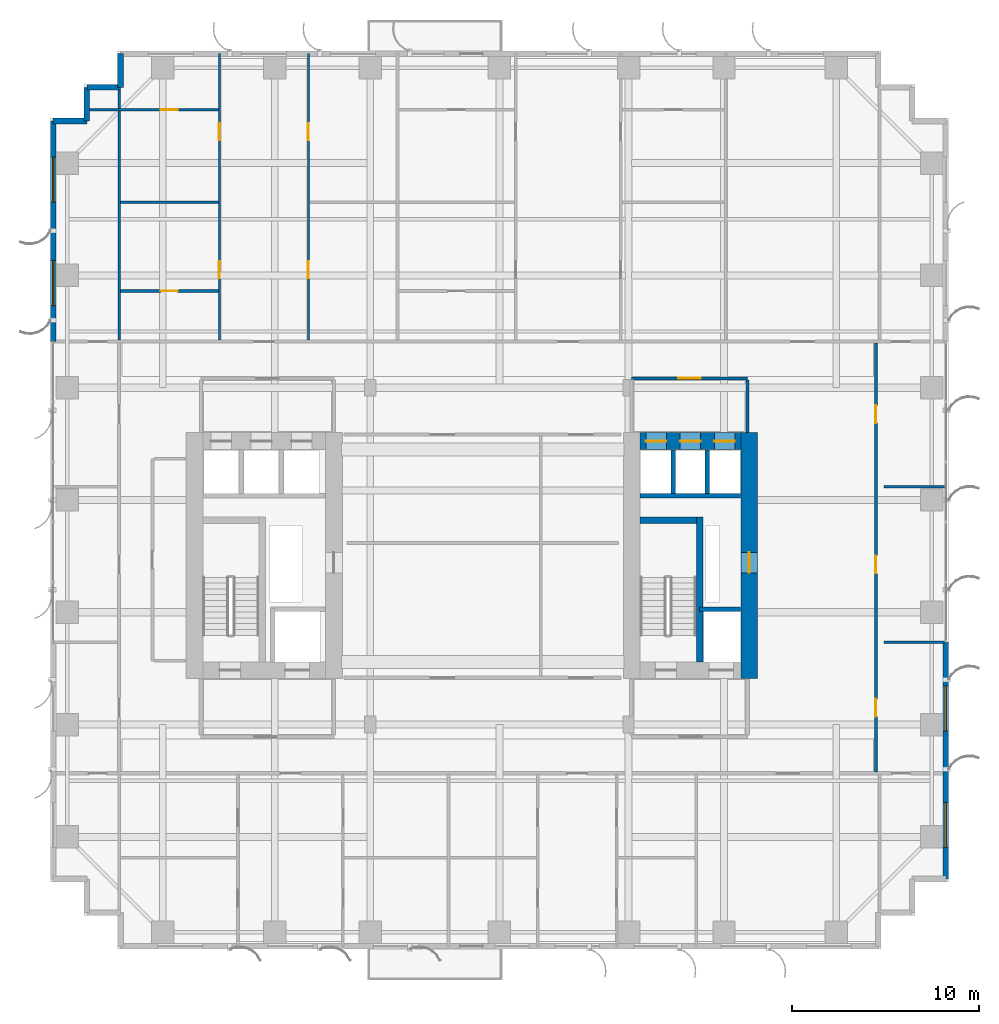
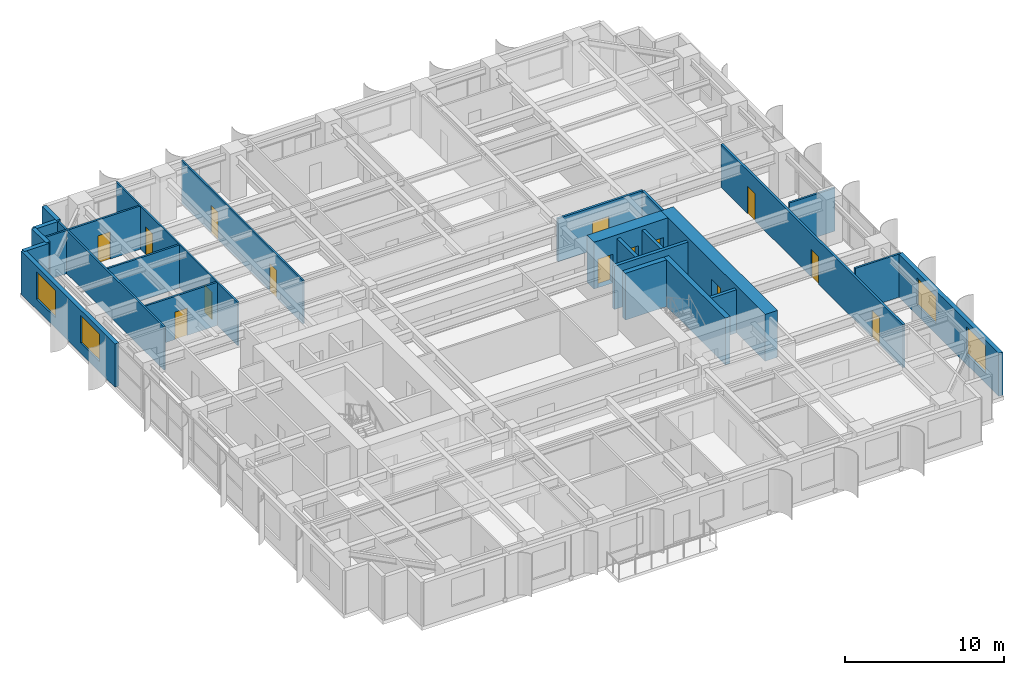
# One storey, part 12 of 18: 25 walls, 14 doors, 4 windows, 18 openings.
"""IFC4 building model written with IfcOpenShell, lengths in metres."""

from ifc_helpers import new_model, si_unit, direction, frame, frame_2d, origin, place, context, subcontext, project, spatial, rectangle, extrude, source, transform, mapped, material, layer, layer_set, type_object, element, fill, save


model = new_model("IFC4")

# Units and contexts
model_context = context("Model", 3, precision=1e-05, world=origin(), true_north=direction((0.0, 1.0)))
body_context = subcontext(model_context, "Body", "Model", "MODEL_VIEW")
ifc_project = project(units=[si_unit("LENGTHUNIT", "METRE"), si_unit("AREAUNIT", "SQUARE_METRE"), si_unit("VOLUMEUNIT", "CUBIC_METRE"), si_unit("PLANEANGLEUNIT", "RADIAN"), si_unit("MASSUNIT", "GRAM", prefix="KILO")], contexts=[model_context])

# Site, building, storey
site_placement = place(None, origin())
site = spatial("IfcSite", under=ifc_project, at=site_placement, CompositionType="ELEMENT")
building_placement = place(site_placement, origin())
building = spatial("IfcBuilding", under=site, at=building_placement, Name="Khoralis Quay Care Tower", CompositionType="ELEMENT")
storey_placement = place(building_placement, frame((0.0, 0.0, 47.699951171875)))
storey = spatial("IfcBuildingStorey", under=building, at=storey_placement, Name="L12", CompositionType="ELEMENT", Elevation=47.699951171875)

# Wall, opening, door
ifc_material_1 = material(Name="Concrete C80/95", Category="concrete")
ifc_layer_1 = layer(ifc_material_1, 0.89990234375)
ifc_layer_set_1 = layer_set([ifc_layer_1], Name="Concrete C80/95")
wall_type_1 = type_object("IfcWallType", Name="WL-CORE-900", PredefinedType="SHEAR", material=ifc_layer_set_1)
wall_1_placement = place(storey_placement, frame((37.35009765625, 14.449951171875, 0.0), z_axis=(0.0, 0.0, 1.0), x_axis=(0.0, 1.0, 0.0)))
wall_1 = element("IfcWall", 1, at=wall_1_placement, inside=storey, type_object=wall_type_1, Name="L12 ECORE East Shear Wall", PredefinedType="SHEAR", context=body_context, shape_type="SweptSolid", body=[
    extrude(rectangle(XDim=13.150146484375, YDim=0.89990234375, at=frame_2d((6.5751953125, 0.0))), origin(), (0.0, 0.0, 1.0), 3.60009765625),
])
opening_1_placement = place(wall_1_placement, frame((5.64990234375, 0.0, 0.0)))
opening_1 = element("IfcOpeningElement", 2, at=opening_1_placement, cuts=wall_1, Name="Opening SD1", PredefinedType="OPENING", context=body_context, shape_type="SweptSolid", body=[
    extrude(rectangle(XDim=1.10009765625, YDim=2.199951171875, at=frame_2d((0.550048828125, 1.10009765625))), frame((0.0, 0.4599609375, 0.0), z_axis=(0.0, -1.0, 0.0), x_axis=(1.0, 0.0, 0.0)), (0.0, 0.0, 1.0), 0.919921875),
])
ifc_material_2 = material(Name="Fire-rated painted steel", Category="steel")
door_type_1 = type_object("IfcDoorType", Name="DR-STAIR-1100X2200", OperationType="NOTDEFINED", PredefinedType="DOOR", material=ifc_material_2)
shared_shape_1 = source(origin(), body_context, "Body", "SweptSolid", [
    extrude(rectangle(XDim=1.10009765625, YDim=2.199951171875, at=frame_2d((0.550048828125, 1.10009765625))), frame((0.0, 0.02490234375, 0.0), z_axis=(0.0, -1.0, 0.0), x_axis=(1.0, 0.0, 0.0)), (0.0, 0.0, 1.0), 0.050048828125),
])
door_1_placement = place(opening_1_placement, frame((1.10009765625, 0.0, 0.0), z_axis=(0.0, 0.0, 1.0), x_axis=(-1.0, 0.0, 0.0)))
door_1 = element("IfcDoor", 3, at=door_1_placement, inside=storey, type_object=door_type_1, Name="L12 East MEP Riser Door", OperationType="SINGLE_SWING_LEFT", OverallHeight=2.199951171875, OverallWidth=1.10009765625, PredefinedType="DOOR", context=body_context, shape_type="MappedRepresentation", body=[
    mapped(shared_shape_1, transform((0.0, 0.0, 0.0), scale=1.0)),
])
fill(opening_1, door_1)

# Wall, openings, doors
wall_2_placement = place(storey_placement, frame((31.52001953125, 27.14990234375, 0.0), z_axis=(0.0, 0.0, 1.0), x_axis=(1.0, 0.0, 0.0)))
wall_2 = element("IfcWall", 4, at=wall_2_placement, inside=storey, type_object=wall_type_1, Name="L12 ECORE North Shear Wall", PredefinedType="SHEAR", context=body_context, shape_type="SweptSolid", body=[
    extrude(rectangle(XDim=5.3798828125, YDim=0.89990234375, at=frame_2d((2.68994140625, 0.0))), origin(), (0.0, 0.0, 1.0), 3.60009765625),
])
opening_2_placement = place(wall_2_placement, frame((0.300048828125, 0.0, 0.0)))
opening_2 = element("IfcOpeningElement", 5, at=opening_2_placement, cuts=wall_2, Name="Opening LD1", PredefinedType="OPENING", context=body_context, shape_type="SweptSolid", body=[
    extrude(rectangle(XDim=1.10009765625, YDim=2.199951171875, at=frame_2d((0.550048828125, 1.10009765625))), frame((0.0, 0.4599609375, 0.0), z_axis=(0.0, -1.0, 0.0), x_axis=(1.0, 0.0, 0.0)), (0.0, 0.0, 1.0), 0.919921875),
])
opening_3_placement = place(wall_2_placement, frame((2.1298828125, 0.0, 0.0)))
opening_3 = element("IfcOpeningElement", 6, at=opening_3_placement, cuts=wall_2, Name="Opening LD1", PredefinedType="OPENING", context=body_context, shape_type="SweptSolid", body=[
    extrude(rectangle(XDim=1.10009765625, YDim=2.199951171875, at=frame_2d((0.550048828125, 1.10009765625))), frame((0.0, 0.4599609375, 0.0), z_axis=(0.0, -1.0, 0.0), x_axis=(1.0, 0.0, 0.0)), (0.0, 0.0, 1.0), 0.919921875),
])
opening_4_placement = place(wall_2_placement, frame((3.9599609375, 0.0, 0.0)))
opening_4 = element("IfcOpeningElement", 7, at=opening_4_placement, cuts=wall_2, Name="Opening LD1", PredefinedType="OPENING", context=body_context, shape_type="SweptSolid", body=[
    extrude(rectangle(XDim=1.10009765625, YDim=2.199951171875, at=frame_2d((0.550048828125, 1.10009765625))), frame((0.0, 0.4599609375, 0.0), z_axis=(0.0, -1.0, 0.0), x_axis=(1.0, 0.0, 0.0)), (0.0, 0.0, 1.0), 0.919921875),
])
ifc_material_3 = material(Name="Brushed stainless steel", Category="steel")
door_type_2 = type_object("IfcDoorType", Name="DR-LIFT-1100X2200", OperationType="SLIDING_TO_LEFT", PredefinedType="DOOR", material=ifc_material_3)
shared_shape_2 = source(origin(), body_context, "Body", "SweptSolid", [
    extrude(rectangle(XDim=1.10009765625, YDim=2.199951171875, at=frame_2d((0.550048828125, 1.10009765625))), frame((0.0, 0.02490234375, 0.0), z_axis=(0.0, -1.0, 0.0), x_axis=(1.0, 0.0, 0.0)), (0.0, 0.0, 1.0), 0.050048828125),
])
door_2_placement = place(opening_2_placement, origin())
door_2 = element("IfcDoor", 8, at=door_2_placement, inside=storey, type_object=door_type_2, Name="L12 Lift PLL2 Landing Door", OperationType="SLIDING_TO_LEFT", OverallHeight=2.199951171875, OverallWidth=1.10009765625, PredefinedType="DOOR", context=body_context, shape_type="MappedRepresentation", body=[
    mapped(shared_shape_2, transform((0.0, 0.0, 0.0), scale=1.0)),
])
fill(opening_2, door_2)
door_3_placement = place(opening_3_placement, origin())
door_3 = element("IfcDoor", 9, at=door_3_placement, inside=storey, type_object=door_type_2, Name="L12 Lift PLM2 Landing Door", OperationType="SLIDING_TO_LEFT", OverallHeight=2.199951171875, OverallWidth=1.10009765625, PredefinedType="DOOR", context=body_context, shape_type="MappedRepresentation", body=[
    mapped(shared_shape_2, transform((0.0, 0.0, 0.0), scale=1.0)),
])
fill(opening_3, door_3)
door_4_placement = place(opening_4_placement, origin())
door_4 = element("IfcDoor", 10, at=door_4_placement, inside=storey, type_object=door_type_2, Name="L12 Lift PLH2 Landing Door", OperationType="SLIDING_TO_LEFT", OverallHeight=2.199951171875, OverallWidth=1.10009765625, PredefinedType="DOOR", context=body_context, shape_type="MappedRepresentation", body=[
    mapped(shared_shape_2, transform((0.0, 0.0, 0.0), scale=1.0)),
])
fill(opening_4, door_4)

# Wall, opening, door
ifc_material_4 = material(Name="Gypsum plasterboard on acoustic metal stud")
ifc_layer_2 = layer(ifc_material_4, 0.1650390625)
ifc_layer_set_2 = layer_set([ifc_layer_2], Name="Gypsum plasterboard on acoustic metal stud")
wall_type_2 = type_object("IfcWallType", Name="WL-CORR-165", PredefinedType="PARTITIONING", material=ifc_layer_set_2)
wall_3_placement = place(storey_placement, frame((31.050048828125, 30.5, 0.0), z_axis=(0.0, 0.0, 1.0), x_axis=(1.0, 0.0, 0.0)))
wall_3 = element("IfcWall", 11, at=wall_3_placement, inside=storey, type_object=wall_type_2, Name="L12 East Lift Lobby North Wall", PredefinedType="PARTITIONING", context=body_context, shape_type="SweptSolid", body=[
    extrude(rectangle(XDim=6.199951171875, YDim=0.1650390625, at=frame_2d((3.10009765625, 0.0))), origin(), (0.0, 0.0, 1.0), 3.320068359375),
])
opening_5_placement = place(wall_3_placement, frame((2.5, 0.0, 0.0)))
opening_5 = element("IfcOpeningElement", 12, at=opening_5_placement, cuts=wall_3, Name="Opening FD1", PredefinedType="OPENING", context=body_context, shape_type="SweptSolid", body=[
    extrude(rectangle(XDim=1.199951171875, YDim=2.199951171875, at=frame_2d((0.60009765625, 1.10009765625))), frame((0.0, 0.092529296875, 0.0), z_axis=(0.0, -1.0, 0.0), x_axis=(1.0, 0.0, 0.0)), (0.0, 0.0, 1.0), 0.18505859375),
])
door_type_3 = type_object("IfcDoorType", Name="DR-FFL-1200X2200", OperationType="NOTDEFINED", PredefinedType="DOOR", material=ifc_material_2)
shared_shape_3 = source(origin(), body_context, "Body", "SweptSolid", [
    extrude(rectangle(XDim=1.199951171875, YDim=2.199951171875, at=frame_2d((0.60009765625, 1.10009765625))), frame((0.0, 0.02490234375, 0.0), z_axis=(0.0, -1.0, 0.0), x_axis=(1.0, 0.0, 0.0)), (0.0, 0.0, 1.0), 0.050048828125),
])
door_5_placement = place(opening_5_placement, origin())
door_5 = element("IfcDoor", 13, at=door_5_placement, inside=storey, type_object=door_type_3, Name="L12 East Lift Lobby Double Door", OperationType="DOUBLE_DOOR_SINGLE_SWING", OverallHeight=2.199951171875, OverallWidth=1.199951171875, PredefinedType="DOOR", context=body_context, shape_type="MappedRepresentation", body=[
    mapped(shared_shape_3, transform((0.0, 0.0, 0.0), scale=1.0)),
])
fill(opening_5, door_5)

# Wall
wall_4_placement = place(storey_placement, frame((37.25, 27.6201171875, 0.0), z_axis=(0.0, 0.0, 1.0), x_axis=(0.0, 1.0, 0.0)))
element("IfcWall", 14, at=wall_4_placement, inside=storey, type_object=wall_type_2, Name="L12 East Lift Lobby East Wall", PredefinedType="PARTITIONING", context=body_context, shape_type="SweptSolid", body=[
    extrude(rectangle(XDim=2.802490234375, YDim=0.1650390625, at=frame_2d((1.4013671875, 0.0))), origin(), (0.0, 0.0, 1.0), 3.320068359375),
])

# Wall, openings, doors
wall_5_placement = place(storey_placement, frame((44.1201171875, 9.4775390625, 0.0), z_axis=(0.0, 0.0, 1.0), x_axis=(0.0, 1.0, 0.0)))
wall_5 = element("IfcWall", 15, at=wall_5_placement, inside=storey, type_object=wall_type_2, Name="L12 East Loop Corridor Wall", PredefinedType="PARTITIONING", context=body_context, shape_type="SweptSolid", body=[
    extrude(rectangle(XDim=22.905029296875, YDim=0.1650390625, at=frame_2d((11.45263671875, 0.0))), origin(), (0.0, 0.0, 1.0), 3.320068359375),
])
opening_6_placement = place(wall_5_placement, frame((2.947509765625, 0.0, 0.0)))
opening_6 = element("IfcOpeningElement", 16, at=opening_6_placement, cuts=wall_5, Name="Opening ID1", PredefinedType="OPENING", context=body_context, shape_type="SweptSolid", body=[
    extrude(rectangle(XDim=0.949951171875, YDim=2.10009765625, at=frame_2d((0.47509765625, 1.050048828125))), frame((0.0, 0.092529296875, 0.0), z_axis=(0.0, -1.0, 0.0), x_axis=(1.0, 0.0, 0.0)), (0.0, 0.0, 1.0), 0.18505859375),
])
opening_7_placement = place(wall_5_placement, frame((10.597412109375, 0.0, 0.0)))
opening_7 = element("IfcOpeningElement", 17, at=opening_7_placement, cuts=wall_5, Name="Opening ID1", PredefinedType="OPENING", context=body_context, shape_type="SweptSolid", body=[
    extrude(rectangle(XDim=0.949951171875, YDim=2.10009765625, at=frame_2d((0.47509765625, 1.050048828125))), frame((0.0, 0.092529296875, 0.0), z_axis=(0.0, -1.0, 0.0), x_axis=(1.0, 0.0, 0.0)), (0.0, 0.0, 1.0), 0.18505859375),
])
opening_8_placement = place(wall_5_placement, frame((18.62744140625, 0.0, 0.0)))
opening_8 = element("IfcOpeningElement", 18, at=opening_8_placement, cuts=wall_5, Name="Opening ID1", PredefinedType="OPENING", context=body_context, shape_type="SweptSolid", body=[
    extrude(rectangle(XDim=0.949951171875, YDim=2.10009765625, at=frame_2d((0.47509765625, 1.050048828125))), frame((0.0, 0.092529296875, 0.0), z_axis=(0.0, -1.0, 0.0), x_axis=(1.0, 0.0, 0.0)), (0.0, 0.0, 1.0), 0.18505859375),
])
ifc_material_5 = material(Name="Acoustic hardwood timber", Category="wood")
door_type_4 = type_object("IfcDoorType", Name="DR-ROOM-950X2100", OperationType="NOTDEFINED", PredefinedType="DOOR", material=ifc_material_5)
shared_shape_4 = source(origin(), body_context, "Body", "SweptSolid", [
    extrude(rectangle(XDim=0.949951171875, YDim=2.10009765625, at=frame_2d((0.47509765625, 1.050048828125))), frame((0.0, 0.02490234375, 0.0), z_axis=(0.0, -1.0, 0.0), x_axis=(1.0, 0.0, 0.0)), (0.0, 0.0, 1.0), 0.050048828125),
])
door_6_placement = place(opening_6_placement, frame((0.949951171875, 0.0, 0.0), z_axis=(0.0, 0.0, 1.0), x_axis=(-1.0, 0.0, 0.0)))
door_6 = element("IfcDoor", 19, at=door_6_placement, inside=storey, type_object=door_type_4, Name="L12 Therapy Consultation Room Door", OperationType="SINGLE_SWING_LEFT", OverallHeight=2.10009765625, OverallWidth=0.949951171875, PredefinedType="DOOR", context=body_context, shape_type="MappedRepresentation", body=[
    mapped(shared_shape_4, transform((0.0, 0.0, 0.0), scale=1.0)),
])
fill(opening_6, door_6)
door_7_placement = place(opening_7_placement, frame((0.949951171875, 0.0, 0.0), z_axis=(0.0, 0.0, 1.0), x_axis=(-1.0, 0.0, 0.0)))
door_7 = element("IfcDoor", 20, at=door_7_placement, inside=storey, type_object=door_type_4, Name="L12 Assisted Activity Lounge Door", OperationType="SINGLE_SWING_RIGHT", OverallHeight=2.10009765625, OverallWidth=0.949951171875, PredefinedType="DOOR", context=body_context, shape_type="MappedRepresentation", body=[
    mapped(shared_shape_4, transform((0.0, 0.0, 0.0), scale=1.0)),
])
fill(opening_7, door_7)
door_8_placement = place(opening_8_placement, frame((0.949951171875, 0.0, 0.0), z_axis=(0.0, 0.0, 1.0), x_axis=(-1.0, 0.0, 0.0)))
door_8 = element("IfcDoor", 21, at=door_8_placement, inside=storey, type_object=door_type_4, Name="L12 Nurse Charting Office Door", OperationType="SINGLE_SWING_LEFT", OverallHeight=2.10009765625, OverallWidth=0.949951171875, PredefinedType="DOOR", context=body_context, shape_type="MappedRepresentation", body=[
    mapped(shared_shape_4, transform((0.0, 0.0, 0.0), scale=1.0)),
])
fill(opening_8, door_8)

# Wall, openings, windows
ifc_material_6 = material(Name="Precast concrete C45/55", Category="concrete")
ifc_layer_3 = layer(ifc_material_6, 0.300048828125)
ifc_layer_set_3 = layer_set([ifc_layer_3], Name="Precast concrete C45/55")
wall_type_3 = type_object("IfcWallType", Name="WL-EXT-REF-300", PredefinedType="SOLIDWALL", material=ifc_layer_set_3)
wall_6_placement = place(storey_placement, frame((47.85009765625, 3.75, 0.0), z_axis=(0.0, 0.0, 1.0), x_axis=(0.0, 1.0, 0.0)))
wall_6 = element("IfcWall", 22, at=wall_6_placement, inside=storey, type_object=wall_type_3, Name="L12 External Facade Wall WL-EXT-L12-P1-E5A", PredefinedType="SOLIDWALL", context=body_context, shape_type="SweptSolid", body=[
    extrude(rectangle(XDim=12.64990234375, YDim=0.300048828125, at=frame_2d((6.324951171875, 0.0))), origin(), (0.0, 0.0, 1.0), 3.320068359375),
])
opening_9_placement = place(wall_6_placement, frame((1.675048828125, 0.0, 0.800048828125)))
opening_9 = element("IfcOpeningElement", 23, at=opening_9_placement, cuts=wall_6, Name="Opening W1", PredefinedType="OPENING", context=body_context, shape_type="SweptSolid", body=[
    extrude(rectangle(XDim=2.39990234375, YDim=2.10009765625, at=frame_2d((1.199951171875, 1.050048828125))), frame((0.0, 0.16015625, 0.0), z_axis=(0.0, -1.0, 0.0), x_axis=(1.0, 0.0, 0.0)), (0.0, 0.0, 1.0), 0.320068359375),
])
opening_10_placement = place(wall_6_placement, frame((7.89990234375, 0.0, 0.800048828125)))
opening_10 = element("IfcOpeningElement", 24, at=opening_10_placement, cuts=wall_6, Name="Opening W1", PredefinedType="OPENING", context=body_context, shape_type="SweptSolid", body=[
    extrude(rectangle(XDim=2.39990234375, YDim=2.10009765625, at=frame_2d((1.199951171875, 1.050048828125))), frame((0.0, 0.16015625, 0.0), z_axis=(0.0, -1.0, 0.0), x_axis=(1.0, 0.0, 0.0)), (0.0, 0.0, 1.0), 0.320068359375),
])
ifc_material_7 = material(Name="Low-E solar-control double glazing", Category="glass")
window_type = type_object("IfcWindowType", Name="WN-POD-2400X2100", PartitioningType="SINGLE_PANEL", PredefinedType="WINDOW", material=ifc_material_7)
shared_shape_5 = source(origin(), body_context, "Body", "SweptSolid", [
    extrude(rectangle(XDim=2.39990234375, YDim=2.10009765625, at=frame_2d((1.199951171875, 1.050048828125))), frame((0.0, 0.030029296875, 0.0), z_axis=(0.0, -1.0, 0.0), x_axis=(1.0, 0.0, 0.0)), (0.0, 0.0, 1.0), 0.06005859375),
])
window_1_placement = place(opening_9_placement, origin())
window_1 = element("IfcWindow", 25, at=window_1_placement, inside=storey, type_object=window_type, Name="WN-L12-P1-E5A Facade Window 01", OverallHeight=2.10009765625, OverallWidth=2.39990234375, PartitioningType="SINGLE_PANEL", PredefinedType="WINDOW", context=body_context, shape_type="MappedRepresentation", body=[
    mapped(shared_shape_5, transform((0.0, 0.0, 0.0), scale=1.0)),
])
fill(opening_9, window_1)
window_2_placement = place(opening_10_placement, origin())
window_2 = element("IfcWindow", 26, at=window_2_placement, inside=storey, type_object=window_type, Name="WN-L12-P1-E5A Facade Window 02", OverallHeight=2.10009765625, OverallWidth=2.39990234375, PartitioningType="SINGLE_PANEL", PredefinedType="WINDOW", context=body_context, shape_type="MappedRepresentation", body=[
    mapped(shared_shape_5, transform((0.0, 0.0, 0.0), scale=1.0)),
])
fill(opening_10, window_2)

# Walls
for number, where, z_axis, x_axis, name in (
    (27, (3.75, 47.85009765625, 0.0), (0.0, 0.0, 1.0), (0.0, -1.0, 0.0), "L12 External Facade Wall WL-EXT-L12-P1-C11"),
    (28, (3.75, 46.050048828125, 0.0), (0.0, 0.0, 1.0), (-1.0, 0.0, 0.0), "L12 External Facade Wall WL-EXT-L12-P1-C12"),
    (29, (1.949951171875, 46.050048828125, 0.0), (0.0, 0.0, 1.0), (0.0, -1.0, 0.0), "L12 External Facade Wall WL-EXT-L12-P1-C13"),
    (30, (1.949951171875, 44.25, 0.0), (0.0, 0.0, 1.0), (-1.0, 0.0, 0.0), "L12 External Facade Wall WL-EXT-L12-P1-C14"),
):
    element("IfcWall", number, at=place(storey_placement, frame(where, z_axis=z_axis, x_axis=x_axis)), inside=storey, type_object=wall_type_3, Name=name, PredefinedType="SOLIDWALL", context=body_context, shape_type="SweptSolid", body=[
        extrude(rectangle(XDim=1.800048828125, YDim=0.300048828125, at=frame_2d((0.89990234375, 0.0))), origin(), (0.0, 0.0, 1.0), 3.320068359375),
    ])

# Wall, openings, windows
wall_7_placement = place(storey_placement, frame((0.14990234375, 44.25, 0.0), z_axis=(0.0, 0.0, 1.0), x_axis=(0.0, -1.0, 0.0)))
wall_7 = element("IfcWall", 31, at=wall_7_placement, inside=storey, type_object=wall_type_3, Name="L12 External Facade Wall WL-EXT-L12-P1-E15A", PredefinedType="SOLIDWALL", context=body_context, shape_type="SweptSolid", body=[
    extrude(rectangle(XDim=11.7900390625, YDim=0.300048828125, at=frame_2d((5.89501953125, 0.0))), origin(), (0.0, 0.0, 1.0), 3.320068359375),
])
opening_11_placement = place(wall_7_placement, frame((1.927490234375, 0.0, 0.800048828125)))
opening_11 = element("IfcOpeningElement", 32, at=opening_11_placement, cuts=wall_7, Name="Opening W1", PredefinedType="OPENING", context=body_context, shape_type="SweptSolid", body=[
    extrude(rectangle(XDim=2.39990234375, YDim=2.10009765625, at=frame_2d((1.199951171875, 1.050048828125))), frame((0.0, 0.16015625, 0.0), z_axis=(0.0, -1.0, 0.0), x_axis=(1.0, 0.0, 0.0)), (0.0, 0.0, 1.0), 0.320068359375),
])
opening_12_placement = place(wall_7_placement, frame((7.46240234375, 0.0, 0.800048828125)))
opening_12 = element("IfcOpeningElement", 33, at=opening_12_placement, cuts=wall_7, Name="Opening W1", PredefinedType="OPENING", context=body_context, shape_type="SweptSolid", body=[
    extrude(rectangle(XDim=2.39990234375, YDim=2.10009765625, at=frame_2d((1.199951171875, 1.050048828125))), frame((0.0, 0.16015625, 0.0), z_axis=(0.0, -1.0, 0.0), x_axis=(1.0, 0.0, 0.0)), (0.0, 0.0, 1.0), 0.320068359375),
])
window_3_placement = place(opening_11_placement, origin())
window_3 = element("IfcWindow", 34, at=window_3_placement, inside=storey, type_object=window_type, Name="WN-L12-P1-E15A Facade Window 01", OverallHeight=2.10009765625, OverallWidth=2.39990234375, PartitioningType="SINGLE_PANEL", PredefinedType="WINDOW", context=body_context, shape_type="MappedRepresentation", body=[
    mapped(shared_shape_5, transform((0.0, 0.0, 0.0), scale=1.0)),
])
fill(opening_11, window_3)
window_4_placement = place(opening_12_placement, origin())
window_4 = element("IfcWindow", 35, at=window_4_placement, inside=storey, type_object=window_type, Name="WN-L12-P1-E15A Facade Window 02", OverallHeight=2.10009765625, OverallWidth=2.39990234375, PartitioningType="SINGLE_PANEL", PredefinedType="WINDOW", context=body_context, shape_type="MappedRepresentation", body=[
    mapped(shared_shape_5, transform((0.0, 0.0, 0.0), scale=1.0)),
])
fill(opening_12, window_4)

# Wall, openings, doors
ifc_layer_4 = layer(ifc_material_4, 0.114990234375)
ifc_layer_set_4 = layer_set([ifc_layer_4], Name="Gypsum plasterboard on acoustic metal stud")
wall_type_4 = type_object("IfcWallType", Name="WL-PART-115", PredefinedType="PARTITIONING", material=ifc_layer_set_4)
wall_8_placement = place(storey_placement, frame((9.032958984375, 32.53759765625, 0.0), z_axis=(0.0, 0.0, 1.0), x_axis=(0.0, 1.0, 0.0)))
wall_8 = element("IfcWall", 36, at=wall_8_placement, inside=storey, type_object=wall_type_4, Name="L12 2BR 0 Left Wall", PredefinedType="PARTITIONING", context=body_context, shape_type="SweptSolid", body=[
    extrude(rectangle(XDim=15.3173828125, YDim=0.114990234375, at=frame_2d((7.65869140625, 0.0))), origin(), (0.0, 0.0, 1.0), 3.320068359375),
])
opening_13_placement = place(wall_8_placement, frame((10.697021484375, 0.0, 0.0)))
opening_13 = element("IfcOpeningElement", 37, at=opening_13_placement, cuts=wall_8, Name="Opening WD1", PredefinedType="OPENING", context=body_context, shape_type="SweptSolid", body=[
    extrude(rectangle(XDim=0.89990234375, YDim=2.10009765625, at=frame_2d((0.449951171875, 1.050048828125))), frame((0.0, 0.0673828125, 0.0), z_axis=(0.0, -1.0, 0.0), x_axis=(1.0, 0.0, 0.0)), (0.0, 0.0, 1.0), 0.135009765625),
])
opening_14_placement = place(wall_8_placement, frame((3.31689453125, 0.0, 0.0)))
opening_14 = element("IfcOpeningElement", 38, at=opening_14_placement, cuts=wall_8, Name="Opening WD1", PredefinedType="OPENING", context=body_context, shape_type="SweptSolid", body=[
    extrude(rectangle(XDim=0.89990234375, YDim=2.10009765625, at=frame_2d((0.449951171875, 1.050048828125))), frame((0.0, 0.0673828125, 0.0), z_axis=(0.0, -1.0, 0.0), x_axis=(1.0, 0.0, 0.0)), (0.0, 0.0, 1.0), 0.135009765625),
])
door_type_5 = type_object("IfcDoorType", Name="DR-BATH-900X2100", OperationType="NOTDEFINED", PredefinedType="DOOR", material=ifc_material_5)
shared_shape_6 = source(origin(), body_context, "Body", "SweptSolid", [
    extrude(rectangle(XDim=0.89990234375, YDim=2.10009765625, at=frame_2d((0.449951171875, 1.050048828125))), frame((0.0, 0.02490234375, 0.0), z_axis=(0.0, -1.0, 0.0), x_axis=(1.0, 0.0, 0.0)), (0.0, 0.0, 1.0), 0.050048828125),
])
door_9_placement = place(opening_13_placement, origin())
door_9 = element("IfcDoor", 39, at=door_9_placement, inside=storey, type_object=door_type_5, Name="L12 2BR BD1 Door", OperationType="SINGLE_SWING_LEFT", OverallHeight=2.10009765625, OverallWidth=0.89990234375, PredefinedType="DOOR", context=body_context, shape_type="MappedRepresentation", body=[
    mapped(shared_shape_6, transform((0.0, 0.0, 0.0), scale=1.0)),
])
fill(opening_13, door_9)
door_10_placement = place(opening_14_placement, origin())
door_10 = element("IfcDoor", 40, at=door_10_placement, inside=storey, type_object=door_type_5, Name="L12 2BR BTH Door", OperationType="SINGLE_SWING_RIGHT", OverallHeight=2.10009765625, OverallWidth=0.89990234375, PredefinedType="DOOR", context=body_context, shape_type="MappedRepresentation", body=[
    mapped(shared_shape_6, transform((0.0, 0.0, 0.0), scale=1.0)),
])
fill(opening_14, door_10)

wall_9_placement = place(storey_placement, frame((13.7919921875, 32.53759765625, 0.0), z_axis=(0.0, 0.0, 1.0), x_axis=(0.0, 1.0, 0.0)))
wall_9 = element("IfcWall", 41, at=wall_9_placement, inside=storey, type_object=wall_type_4, Name="L12 2BR 0 Right Wall", PredefinedType="PARTITIONING", context=body_context, shape_type="SweptSolid", body=[
    extrude(rectangle(XDim=15.3173828125, YDim=0.114990234375, at=frame_2d((7.65869140625, 0.0))), origin(), (0.0, 0.0, 1.0), 3.320068359375),
])
opening_15_placement = place(wall_9_placement, frame((10.697021484375, 0.0, 0.0)))
opening_15 = element("IfcOpeningElement", 42, at=opening_15_placement, cuts=wall_9, Name="Opening WD1", PredefinedType="OPENING", context=body_context, shape_type="SweptSolid", body=[
    extrude(rectangle(XDim=0.89990234375, YDim=2.10009765625, at=frame_2d((0.449951171875, 1.050048828125))), frame((0.0, 0.0673828125, 0.0), z_axis=(0.0, -1.0, 0.0), x_axis=(1.0, 0.0, 0.0)), (0.0, 0.0, 1.0), 0.135009765625),
])
opening_16_placement = place(wall_9_placement, frame((3.31689453125, 0.0, 0.0)))
opening_16 = element("IfcOpeningElement", 43, at=opening_16_placement, cuts=wall_9, Name="Opening WD1", PredefinedType="OPENING", context=body_context, shape_type="SweptSolid", body=[
    extrude(rectangle(XDim=0.89990234375, YDim=2.10009765625, at=frame_2d((0.449951171875, 1.050048828125))), frame((0.0, 0.0673828125, 0.0), z_axis=(0.0, -1.0, 0.0), x_axis=(1.0, 0.0, 0.0)), (0.0, 0.0, 1.0), 0.135009765625),
])
door_11_placement = place(opening_15_placement, frame((0.89990234375, 0.0, 0.0), z_axis=(0.0, 0.0, 1.0), x_axis=(-1.0, 0.0, 0.0)))
door_11 = element("IfcDoor", 44, at=door_11_placement, inside=storey, type_object=door_type_5, Name="L12 2BR BD2 Door", OperationType="SINGLE_SWING_LEFT", OverallHeight=2.10009765625, OverallWidth=0.89990234375, PredefinedType="DOOR", context=body_context, shape_type="MappedRepresentation", body=[
    mapped(shared_shape_6, transform((0.0, 0.0, 0.0), scale=1.0)),
])
fill(opening_15, door_11)
door_12_placement = place(opening_16_placement, frame((0.89990234375, 0.0, 0.0), z_axis=(0.0, 0.0, 1.0), x_axis=(-1.0, 0.0, 0.0)))
door_12 = element("IfcDoor", 45, at=door_12_placement, inside=storey, type_object=door_type_5, Name="L12 2BR KIT Door", OperationType="SINGLE_SWING_RIGHT", OverallHeight=2.10009765625, OverallWidth=0.89990234375, PredefinedType="DOOR", context=body_context, shape_type="MappedRepresentation", body=[
    mapped(shared_shape_6, transform((0.0, 0.0, 0.0), scale=1.0)),
])
fill(opening_16, door_12)

# Walls
ifc_material_8 = material(Name="Moisture-resistant gypsum and ceramic tile")
ifc_layer_5 = layer(ifc_material_8, 0.280029296875)
ifc_layer_set_5 = layer_set([ifc_layer_5], Name="Moisture-resistant gypsum and ceramic tile")
wall_type_5 = type_object("IfcWallType", Name="WL-PLUMB-280", PredefinedType="PLUMBINGWALL", material=ifc_layer_set_5)
wall_10_placement = place(storey_placement, frame((3.7451171875, 39.9189453125, 0.0), z_axis=(0.0, 0.0, 1.0), x_axis=(1.0, 0.0, 0.0)))
element("IfcWall", 46, at=wall_10_placement, inside=storey, type_object=wall_type_5, Name="L12 2BR 0 Left Split", PredefinedType="PLUMBINGWALL", context=body_context, shape_type="SweptSolid", body=[
    extrude(rectangle(XDim=5.2353515625, YDim=0.139892578125, at=frame_2d((2.61767578125, 0.0))), origin(), (0.0, 0.0, 1.0), 3.320068359375),
])
ifc_material_9 = material(Name="Concrete C40/50", Category="concrete")
ifc_layer_6 = layer(ifc_material_9, 0.35009765625)
ifc_layer_set_6 = layer_set([ifc_layer_6], Name="Concrete C40/50")
wall_type_6 = type_object("IfcWallType", Name="WL-SC-CORE-350", PredefinedType="SHEAR", material=ifc_layer_set_6)
wall_11_placement = place(storey_placement, frame((34.695068359375, 15.35009765625, 0.0), z_axis=(0.0, 0.0, 1.0), x_axis=(0.0, 1.0, 0.0)))
element("IfcWall", 47, at=wall_11_placement, inside=storey, type_object=wall_type_6, Name="L12 Stair ST-T2 Shear Baffle Wall East", PredefinedType="SHEAR", context=body_context, shape_type="SweptSolid", body=[
    extrude(rectangle(XDim=7.75, YDim=0.35009765625, at=frame_2d((3.875, 0.0))), origin(), (0.0, 0.0, 1.0), 3.60009765625),
])
wall_12_placement = place(storey_placement, frame((31.52001953125, 22.925048828125, 0.0), z_axis=(0.0, 0.0, 1.0), x_axis=(1.0, 0.0, 0.0)))
element("IfcWall", 48, at=wall_12_placement, inside=storey, type_object=wall_type_6, Name="L12 Stair ST-T2 Shear Baffle Wall North", PredefinedType="SHEAR", context=body_context, shape_type="SweptSolid", body=[
    extrude(rectangle(XDim=3.0, YDim=0.35009765625, at=frame_2d((1.5, 0.0))), origin(), (0.0, 0.0, 1.0), 3.60009765625),
])
ifc_layer_7 = layer(ifc_material_4, 0.239990234375)
ifc_layer_set_7 = layer_set([ifc_layer_7], Name="Gypsum plasterboard on acoustic metal stud")
wall_type_7 = type_object("IfcWallType", Name="WL-SHAFT-240", PredefinedType="PARTITIONING", material=ifc_layer_set_7)
wall_13_placement = place(storey_placement, frame((34.679931640625, 18.169921875, 0.0), z_axis=(0.0, 0.0, 1.0), x_axis=(1.0, 0.0, 0.0)))
element("IfcWall", 49, at=wall_13_placement, inside=storey, type_object=wall_type_7, Name="L12 FFL-2 Shaft Wall North", PredefinedType="PARTITIONING", context=body_context, shape_type="SweptSolid", body=[
    extrude(rectangle(XDim=2.199951171875, YDim=0.239990234375, at=frame_2d((1.10009765625, 0.0))), origin(), (0.0, 0.0, 1.0), 3.320068359375),
])
wall_14_placement = place(storey_placement, frame((31.52001953125, 24.22998046875, 0.0), z_axis=(0.0, 0.0, 1.0), x_axis=(1.0, 0.0, 0.0)))
element("IfcWall", 50, at=wall_14_placement, inside=storey, type_object=wall_type_7, Name="L12 East Passenger Shaft South Wall", PredefinedType="PARTITIONING", context=body_context, shape_type="SweptSolid", body=[
    extrude(rectangle(XDim=5.35986328125, YDim=0.239990234375, at=frame_2d((2.679931640625, 0.0))), origin(), (0.0, 0.0, 1.0), 3.320068359375),
])
for number, where, z_axis, x_axis, name in (
    (51, (33.2900390625, 24.344970703125, 0.0), (0.0, 0.0, 1.0), (0.0, 1.0, 0.0), "L12 East Shaft Divider 1"),
    (52, (35.110107421875, 24.344970703125, 0.0), (0.0, 0.0, 1.0), (0.0, 1.0, 0.0), "L12 East Shaft Divider 2"),
):
    element("IfcWall", number, at=place(storey_placement, frame(where, z_axis=z_axis, x_axis=x_axis)), inside=storey, type_object=wall_type_7, Name=name, PredefinedType="PARTITIONING", context=body_context, shape_type="SweptSolid", body=[
        extrude(rectangle(XDim=2.3349609375, YDim=0.239990234375, at=frame_2d((1.16748046875, 0.0))), origin(), (0.0, 0.0, 1.0), 3.320068359375),
    ])
ifc_layer_8 = layer(ifc_material_4, 0.139892578125)
ifc_layer_set_8 = layer_set([ifc_layer_8], Name="Gypsum plasterboard on acoustic metal stud")
wall_type_8 = type_object("IfcWallType", Name="WL-UNIT-140", PredefinedType="PARTITIONING", material=ifc_layer_set_8)
for number, where, z_axis, x_axis, name in (
    (53, (44.5400390625, 16.39990234375, 0.0), (0.0, 0.0, 1.0), (1.0, 0.0, 0.0), "L12 EE Divider 1"),
    (54, (44.5400390625, 24.699951171875, 0.0), (0.0, 0.0, 1.0), (1.0, 0.0, 0.0), "L12 EE Divider 2"),
):
    element("IfcWall", number, at=place(storey_placement, frame(where, z_axis=z_axis, x_axis=x_axis)), inside=storey, type_object=wall_type_8, Name=name, PredefinedType="PARTITIONING", context=body_context, shape_type="SweptSolid", body=[
        extrude(rectangle(XDim=3.31494140625, YDim=0.139892578125, at=frame_2d((1.657470703125, 0.0))), origin(), (0.0, 0.0, 1.0), 3.320068359375),
    ])
wall_15_placement = place(storey_placement, frame((3.679931640625, 32.53759765625, 0.0), z_axis=(0.0, 0.0, 1.0), x_axis=(0.0, 1.0, 0.0)))
element("IfcWall", 55, at=wall_15_placement, inside=storey, type_object=wall_type_8, Name="L12 NB Demising Wall 0", PredefinedType="PARTITIONING", context=body_context, shape_type="SweptSolid", body=[
    extrude(rectangle(XDim=13.517333984375, YDim=0.139892578125, at=frame_2d((6.7587890625, 0.0))), origin(), (0.0, 0.0, 1.0), 3.320068359375),
])

# Wall, opening, door
wall_16_placement = place(storey_placement, frame((1.945068359375, 44.85009765625, 0.0), z_axis=(0.0, 0.0, 1.0), x_axis=(1.0, 0.0, 0.0)))
wall_16 = element("IfcWall", 56, at=wall_16_placement, inside=storey, type_object=wall_type_8, Name="Family Apartment Master Bedroom L12-NB0 Sub-Partition", PredefinedType="PARTITIONING", context=body_context, shape_type="SweptSolid", body=[
    extrude(rectangle(XDim=7.035400390625, YDim=0.139892578125, at=frame_2d((3.517578125, 0.0))), origin(), (0.0, 0.0, 1.0), 3.320068359375),
])
opening_17_placement = place(wall_16_placement, frame((3.96142578125, 0.0, 0.0)))
opening_17 = element("IfcOpeningElement", 57, at=opening_17_placement, cuts=wall_16, Name="Opening WD1", PredefinedType="OPENING", context=body_context, shape_type="SweptSolid", body=[
    extrude(rectangle(XDim=0.89990234375, YDim=2.10009765625, at=frame_2d((0.449951171875, 1.050048828125))), frame((0.0, 0.080078125, 0.0), z_axis=(0.0, -1.0, 0.0), x_axis=(1.0, 0.0, 0.0)), (0.0, 0.0, 1.0), 0.159912109375),
])
door_13_placement = place(opening_17_placement, frame((0.89990234375, 0.0, 0.0), z_axis=(0.0, 0.0, 1.0), x_axis=(-1.0, 0.0, 0.0)))
door_13 = element("IfcDoor", 58, at=door_13_placement, inside=storey, type_object=door_type_5, Name="Private Study & Reading Alcove BD10 Door", OperationType="SINGLE_SWING_LEFT", OverallHeight=2.10009765625, OverallWidth=0.89990234375, PredefinedType="DOOR", context=body_context, shape_type="MappedRepresentation", body=[
    mapped(shared_shape_6, transform((0.0, 0.0, 0.0), scale=1.0)),
])
fill(opening_17, door_13)

wall_17_placement = place(storey_placement, frame((3.7451171875, 35.169921875, 0.0), z_axis=(0.0, 0.0, 1.0), x_axis=(1.0, 0.0, 0.0)))
wall_17 = element("IfcWall", 59, at=wall_17_placement, inside=storey, type_object=wall_type_8, Name="Family Apartment Bathroom L12-NB0 Sub-Partition", PredefinedType="PARTITIONING", context=body_context, shape_type="SweptSolid", body=[
    extrude(rectangle(XDim=5.2353515625, YDim=0.139892578125, at=frame_2d((2.61767578125, 0.0))), origin(), (0.0, 0.0, 1.0), 3.320068359375),
])
opening_18_placement = place(wall_17_placement, frame((2.16162109375, 0.0, 0.0)))
opening_18 = element("IfcOpeningElement", 60, at=opening_18_placement, cuts=wall_17, Name="Opening WD1", PredefinedType="OPENING", context=body_context, shape_type="SweptSolid", body=[
    extrude(rectangle(XDim=0.89990234375, YDim=2.10009765625, at=frame_2d((0.449951171875, 1.050048828125))), frame((0.0, 0.080078125, 0.0), z_axis=(0.0, -1.0, 0.0), x_axis=(1.0, 0.0, 0.0)), (0.0, 0.0, 1.0), 0.159912109375),
])
door_14_placement = place(opening_18_placement, origin())
door_14 = element("IfcDoor", 61, at=door_14_placement, inside=storey, type_object=door_type_5, Name="Linen & Utility Closet BTH0 Door", OperationType="SINGLE_SWING_LEFT", OverallHeight=2.10009765625, OverallWidth=0.89990234375, PredefinedType="DOOR", context=body_context, shape_type="MappedRepresentation", body=[
    mapped(shared_shape_6, transform((0.0, 0.0, 0.0), scale=1.0)),
])
fill(opening_18, door_14)

save(model, "model.ifc")
